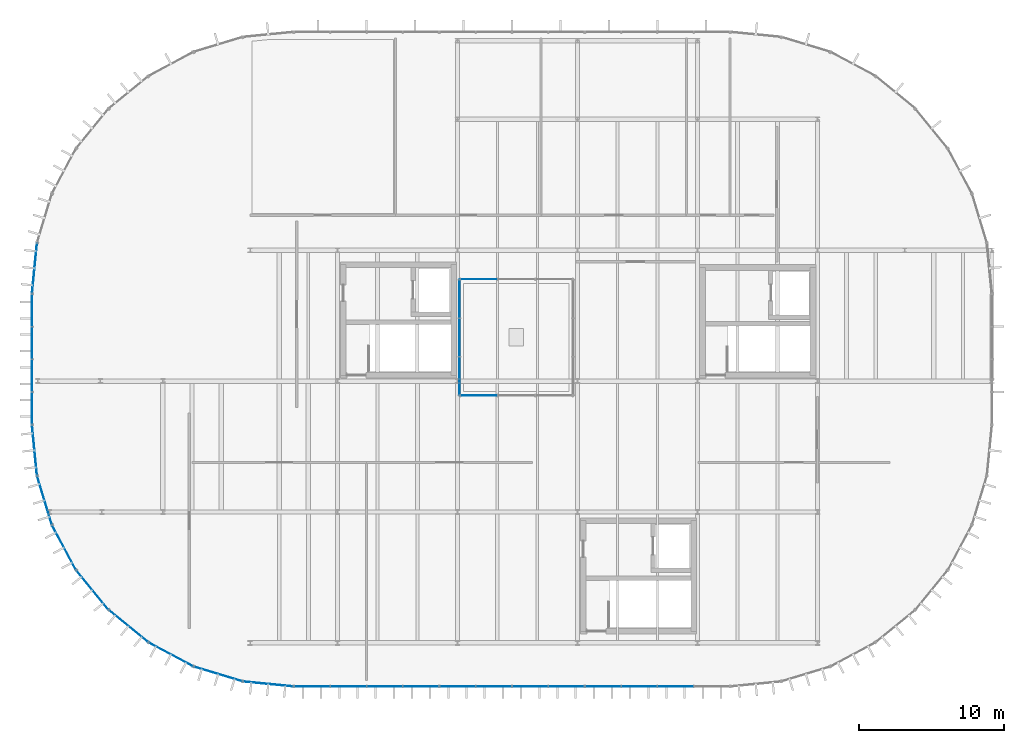
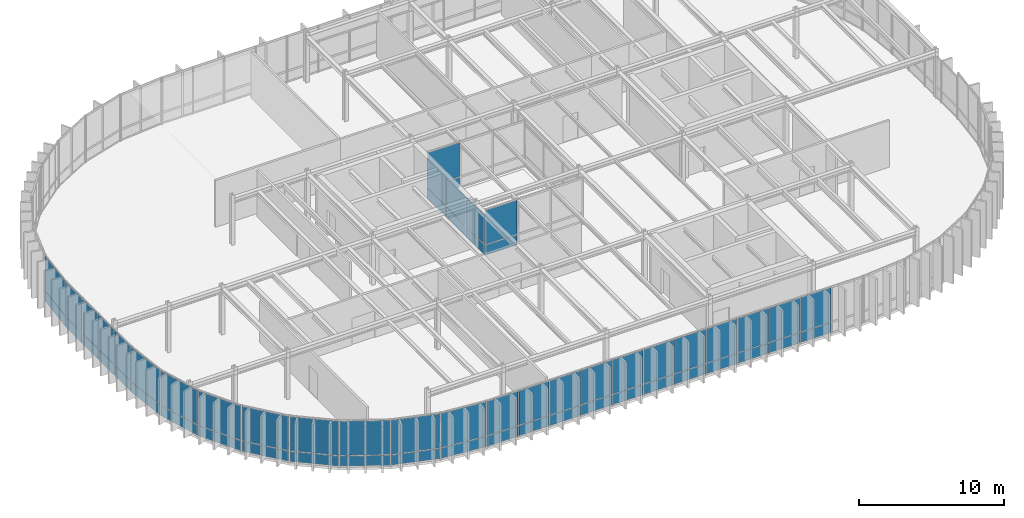
# One storey, part 16 of 21: 58 plates, 16 elements without a shape of their own.
"""IFC4 building model written with IfcOpenShell, lengths in metres."""

from ifc_helpers import new_model, si_unit, direction, frame, origin, origin_2d, place, context, subcontext, project, spatial, rectangle, extrude, material, layer, layer_set, type_object, element, aggregate, save


model = new_model("IFC4")

# Units and contexts
model_context = context("Model", 3, precision=1e-05, world=origin(), true_north=direction((0.0, 1.0)))
body_context = subcontext(model_context, "Body", "Model", "MODEL_VIEW")
ifc_project = project(units=[si_unit("LENGTHUNIT", "METRE"), si_unit("AREAUNIT", "SQUARE_METRE"), si_unit("VOLUMEUNIT", "CUBIC_METRE"), si_unit("PLANEANGLEUNIT", "RADIAN"), si_unit("MASSUNIT", "GRAM", prefix="KILO")], contexts=[model_context])

# Site, building, storey
site_placement = place(None, origin())
site = spatial("IfcSite", under=ifc_project, at=site_placement, CompositionType="ELEMENT")
building_placement = place(site_placement, origin())
building = spatial("IfcBuilding", under=site, at=building_placement, Name="Montealbar Specialist Clinic", CompositionType="ELEMENT")
storey_placement = place(building_placement, frame((0.0, 0.0, 26.39990234375)))
storey = spatial("IfcBuildingStorey", under=building, at=storey_placement, Name="L06", CompositionType="ELEMENT", Elevation=26.39990234375)

# Curtain wall, plates
ifc_material = material(Name="Low-E double glazing", Category="glass")
ifc_layer_1 = layer(ifc_material, 0.199951171875, Name="Low-E double glazing", Category="glass")
ifc_layer_set_1 = layer_set([ifc_layer_1], Name="Low-E double glazing")
curtain_wall_type_1 = type_object("IfcCurtainWallType", Name="CW-TYPE-45", PredefinedType="NOTDEFINED", material=ifc_layer_set_1)
curtain_wall_1_placement = place(storey_placement, origin())
curtain_wall_1 = element("IfcCurtainWall", 1, at=curtain_wall_1_placement, inside=storey, type_object=curtain_wall_type_1, Name="Unitised Curtain Wall CW-L06-744-260-822-260-264", PredefinedType="NOTDEFINED")
ifc_layer_2 = layer(ifc_material, 0.028076171875, Name="Low-E double glazing", Category="glass")
ifc_layer_set_2 = layer_set([ifc_layer_2], Name="Low-E double glazing")
plate_type_1 = type_object("IfcPlateType", Name="CW-PNL-IGU28", PredefinedType="CURTAIN_PANEL", material=ifc_layer_set_2)
plate_1_placement = place(storey_placement, frame((75.699951171875, 26.0, 0.070068359375), z_axis=(0.0, 0.0, 1.0), x_axis=(1.0, 0.0, 0.0)))
plate_1 = element("IfcPlate", 2, at=plate_1_placement, type_object=plate_type_1, Name="Glazed Curtain Panel CW-L06-744-260-822-260-264-1-1", PredefinedType="CURTAIN_PANEL", context=body_context, shape_type="SweptSolid", body=[
    extrude(rectangle(XDim=2.528076171875, YDim=0.028076171875, at=origin_2d()), origin(), (0.0, 0.0, 1.0), 0.85009765625),
])
plate_2_placement = place(storey_placement, frame((75.699951171875, 26.0, 0.980224609375), z_axis=(0.0, 0.0, 1.0), x_axis=(1.0, 0.0, 0.0)))
plate_2 = element("IfcPlate", 3, at=plate_2_placement, type_object=plate_type_1, Name="Glazed Curtain Panel CW-L06-744-260-822-260-264-1-2", PredefinedType="CURTAIN_PANEL", context=body_context, shape_type="SweptSolid", body=[
    extrude(rectangle(XDim=2.528076171875, YDim=0.028076171875, at=origin_2d()), origin(), (0.0, 0.0, 1.0), 2.8798828125),
])
aggregate(curtain_wall_1, [plate_1, plate_2])

curtain_wall_2_placement = place(storey_placement, origin())
curtain_wall_2 = element("IfcCurtainWall", 4, at=curtain_wall_2_placement, inside=storey, type_object=curtain_wall_type_1, Name="Unitised Curtain Wall CW-L06-822-340-744-340-264", PredefinedType="NOTDEFINED")
plate_3_placement = place(storey_placement, frame((75.699951171875, 34.0, 0.070068359375), z_axis=(0.0, 0.0, 1.0), x_axis=(-1.0, 0.0, 0.0)))
plate_3 = element("IfcPlate", 5, at=plate_3_placement, type_object=plate_type_1, Name="Glazed Curtain Panel CW-L06-822-340-744-340-264-3-1", PredefinedType="CURTAIN_PANEL", context=body_context, shape_type="SweptSolid", body=[
    extrude(rectangle(XDim=2.528076171875, YDim=0.028076171875, at=origin_2d()), origin(), (0.0, 0.0, 1.0), 0.85009765625),
])
plate_4_placement = place(storey_placement, frame((75.699951171875, 34.0, 0.980224609375), z_axis=(0.0, 0.0, 1.0), x_axis=(-1.0, 0.0, 0.0)))
plate_4 = element("IfcPlate", 6, at=plate_4_placement, type_object=plate_type_1, Name="Glazed Curtain Panel CW-L06-822-340-744-340-264-3-2", PredefinedType="CURTAIN_PANEL", context=body_context, shape_type="SweptSolid", body=[
    extrude(rectangle(XDim=2.528076171875, YDim=0.028076171875, at=origin_2d()), origin(), (0.0, 0.0, 1.0), 2.8798828125),
])
aggregate(curtain_wall_2, [plate_3, plate_4])

ifc_layer_3 = layer(ifc_material, 0.199951171875, Name="Low-E double glazing", Category="glass")
ifc_layer_set_3 = layer_set([ifc_layer_3], Name="Low-E double glazing")
curtain_wall_type_2 = type_object("IfcCurtainWallType", Name="CW-TYPE-46", PredefinedType="NOTDEFINED", material=ifc_layer_set_3)
curtain_wall_3_placement = place(storey_placement, origin())
curtain_wall_3 = element("IfcCurtainWall", 7, at=curtain_wall_3_placement, inside=storey, type_object=curtain_wall_type_2, Name="Unitised Curtain Wall CW-L06-744-340-744-260-264", PredefinedType="NOTDEFINED")
plate_5_placement = place(storey_placement, frame((74.39990234375, 32.6669921875, 0.070068359375), z_axis=(0.0, 0.0, 1.0), x_axis=(0.0, -1.0, 0.0)))
plate_5 = element("IfcPlate", 8, at=plate_5_placement, type_object=plate_type_1, Name="Glazed Curtain Panel CW-L06-744-340-744-260-264-1-1", PredefinedType="CURTAIN_PANEL", context=body_context, shape_type="SweptSolid", body=[
    extrude(rectangle(XDim=2.594970703125, YDim=0.028076171875, at=origin_2d()), origin(), (0.0, 0.0, 1.0), 0.85009765625),
])
plate_6_placement = place(storey_placement, frame((74.39990234375, 32.6669921875, 0.980224609375), z_axis=(0.0, 0.0, 1.0), x_axis=(0.0, -1.0, 0.0)))
plate_6 = element("IfcPlate", 9, at=plate_6_placement, type_object=plate_type_1, Name="Glazed Curtain Panel CW-L06-744-340-744-260-264-1-2", PredefinedType="CURTAIN_PANEL", context=body_context, shape_type="SweptSolid", body=[
    extrude(rectangle(XDim=2.594970703125, YDim=0.028076171875, at=origin_2d()), origin(), (0.0, 0.0, 1.0), 2.47998046875),
])
plate_7_placement = place(storey_placement, frame((74.39990234375, 30.0, 0.070068359375), z_axis=(0.0, 0.0, 1.0), x_axis=(0.0, -1.0, 0.0)))
plate_7 = element("IfcPlate", 10, at=plate_7_placement, type_object=plate_type_1, Name="Glazed Curtain Panel CW-L06-744-340-744-260-264-2-1", PredefinedType="CURTAIN_PANEL", context=body_context, shape_type="SweptSolid", body=[
    extrude(rectangle(XDim=2.594970703125, YDim=0.028076171875, at=origin_2d()), origin(), (0.0, 0.0, 1.0), 0.85009765625),
])
plate_8_placement = place(storey_placement, frame((74.39990234375, 30.0, 0.980224609375), z_axis=(0.0, 0.0, 1.0), x_axis=(0.0, -1.0, 0.0)))
plate_8 = element("IfcPlate", 11, at=plate_8_placement, type_object=plate_type_1, Name="Glazed Curtain Panel CW-L06-744-340-744-260-264-2-2", PredefinedType="CURTAIN_PANEL", context=body_context, shape_type="SweptSolid", body=[
    extrude(rectangle(XDim=2.594970703125, YDim=0.028076171875, at=origin_2d()), origin(), (0.0, 0.0, 1.0), 2.47998046875),
])
plate_9_placement = place(storey_placement, frame((74.39990234375, 27.3330078125, 0.070068359375), z_axis=(0.0, 0.0, 1.0), x_axis=(0.0, -1.0, 0.0)))
plate_9 = element("IfcPlate", 12, at=plate_9_placement, type_object=plate_type_1, Name="Glazed Curtain Panel CW-L06-744-340-744-260-264-3-1", PredefinedType="CURTAIN_PANEL", context=body_context, shape_type="SweptSolid", body=[
    extrude(rectangle(XDim=2.594970703125, YDim=0.028076171875, at=origin_2d()), origin(), (0.0, 0.0, 1.0), 0.85009765625),
])
plate_10_placement = place(storey_placement, frame((74.39990234375, 27.3330078125, 0.980224609375), z_axis=(0.0, 0.0, 1.0), x_axis=(0.0, -1.0, 0.0)))
plate_10 = element("IfcPlate", 13, at=plate_10_placement, type_object=plate_type_1, Name="Glazed Curtain Panel CW-L06-744-340-744-260-264-3-2", PredefinedType="CURTAIN_PANEL", context=body_context, shape_type="SweptSolid", body=[
    extrude(rectangle(XDim=2.594970703125, YDim=0.028076171875, at=origin_2d()), origin(), (0.0, 0.0, 1.0), 2.47998046875),
])
aggregate(curtain_wall_3, [plate_5, plate_6, plate_7, plate_8, plate_9, plate_10])

ifc_layer_4 = layer(ifc_material, 0.199951171875, Name="Low-E double glazing", Category="glass")
ifc_layer_set_4 = layer_set([ifc_layer_4], Name="Low-E double glazing")
curtain_wall_type_3 = type_object("IfcCurtainWallType", Name="CW-TYPE-42", PredefinedType="NOTDEFINED", material=ifc_layer_set_4)
curtain_wall_4_placement = place(storey_placement, origin())
curtain_wall_4 = element("IfcCurtainWall", 14, at=curtain_wall_4_placement, inside=storey, type_object=curtain_wall_type_3, Name="Unitised Curtain Wall CW-L06-450-240-450-330-264", PredefinedType="NOTDEFINED")
ifc_layer_5 = layer(ifc_material, 0.0380859375, Name="Low-E double glazing", Category="glass")
ifc_layer_set_5 = layer_set([ifc_layer_5], Name="Low-E double glazing")
plate_type_2 = type_object("IfcPlateType", Name="CW-PNL-IGU38", PredefinedType="CURTAIN_PANEL", material=ifc_layer_set_5)
plate_11_placement = place(storey_placement, frame((45.0, 25.125, 0.070068359375), z_axis=(0.0, 0.0, 1.0), x_axis=(0.0, 1.0, 0.0)))
plate_11 = element("IfcPlate", 15, at=plate_11_placement, type_object=plate_type_2, Name="Glazed Curtain Panel CW-L06-450-240-450-330-264-1-1", PredefinedType="CURTAIN_PANEL", context=body_context, shape_type="SweptSolid", body=[
    extrude(rectangle(XDim=2.166015625, YDim=0.0380859375, at=origin_2d()), origin(), (0.0, 0.0, 1.0), 0.85009765625),
])
plate_12_placement = place(storey_placement, frame((45.0, 25.125, 0.980224609375), z_axis=(0.0, 0.0, 1.0), x_axis=(0.0, 1.0, 0.0)))
plate_12 = element("IfcPlate", 16, at=plate_12_placement, type_object=plate_type_2, Name="Glazed Curtain Panel CW-L06-450-240-450-330-264-1-2", PredefinedType="CURTAIN_PANEL", context=body_context, shape_type="SweptSolid", body=[
    extrude(rectangle(XDim=2.166015625, YDim=0.0380859375, at=origin_2d()), origin(), (0.0, 0.0, 1.0), 2.8798828125),
])
plate_13_placement = place(storey_placement, frame((45.0, 27.375, 0.070068359375), z_axis=(0.0, 0.0, 1.0), x_axis=(0.0, 1.0, 0.0)))
plate_13 = element("IfcPlate", 17, at=plate_13_placement, type_object=plate_type_2, Name="Glazed Curtain Panel CW-L06-450-240-450-330-264-2-1", PredefinedType="CURTAIN_PANEL", context=body_context, shape_type="SweptSolid", body=[
    extrude(rectangle(XDim=2.166015625, YDim=0.0380859375, at=origin_2d()), origin(), (0.0, 0.0, 1.0), 0.85009765625),
])
plate_14_placement = place(storey_placement, frame((45.0, 27.375, 0.980224609375), z_axis=(0.0, 0.0, 1.0), x_axis=(0.0, 1.0, 0.0)))
plate_14 = element("IfcPlate", 18, at=plate_14_placement, type_object=plate_type_2, Name="Glazed Curtain Panel CW-L06-450-240-450-330-264-2-2", PredefinedType="CURTAIN_PANEL", context=body_context, shape_type="SweptSolid", body=[
    extrude(rectangle(XDim=2.166015625, YDim=0.0380859375, at=origin_2d()), origin(), (0.0, 0.0, 1.0), 2.8798828125),
])
plate_15_placement = place(storey_placement, frame((45.0, 29.625, 0.070068359375), z_axis=(0.0, 0.0, 1.0), x_axis=(0.0, 1.0, 0.0)))
plate_15 = element("IfcPlate", 19, at=plate_15_placement, type_object=plate_type_2, Name="Glazed Curtain Panel CW-L06-450-240-450-330-264-3-1", PredefinedType="CURTAIN_PANEL", context=body_context, shape_type="SweptSolid", body=[
    extrude(rectangle(XDim=2.166015625, YDim=0.0380859375, at=origin_2d()), origin(), (0.0, 0.0, 1.0), 0.85009765625),
])
plate_16_placement = place(storey_placement, frame((45.0, 29.625, 0.980224609375), z_axis=(0.0, 0.0, 1.0), x_axis=(0.0, 1.0, 0.0)))
plate_16 = element("IfcPlate", 20, at=plate_16_placement, type_object=plate_type_2, Name="Glazed Curtain Panel CW-L06-450-240-450-330-264-3-2", PredefinedType="CURTAIN_PANEL", context=body_context, shape_type="SweptSolid", body=[
    extrude(rectangle(XDim=2.166015625, YDim=0.0380859375, at=origin_2d()), origin(), (0.0, 0.0, 1.0), 2.8798828125),
])
plate_17_placement = place(storey_placement, frame((45.0, 31.875, 0.070068359375), z_axis=(0.0, 0.0, 1.0), x_axis=(0.0, 1.0, 0.0)))
plate_17 = element("IfcPlate", 21, at=plate_17_placement, type_object=plate_type_2, Name="Glazed Curtain Panel CW-L06-450-240-450-330-264-4-1", PredefinedType="CURTAIN_PANEL", context=body_context, shape_type="SweptSolid", body=[
    extrude(rectangle(XDim=2.166015625, YDim=0.0380859375, at=origin_2d()), origin(), (0.0, 0.0, 1.0), 0.85009765625),
])
plate_18_placement = place(storey_placement, frame((45.0, 31.875, 0.980224609375), z_axis=(0.0, 0.0, 1.0), x_axis=(0.0, 1.0, 0.0)))
plate_18 = element("IfcPlate", 22, at=plate_18_placement, type_object=plate_type_2, Name="Glazed Curtain Panel CW-L06-450-240-450-330-264-4-2", PredefinedType="CURTAIN_PANEL", context=body_context, shape_type="SweptSolid", body=[
    extrude(rectangle(XDim=2.166015625, YDim=0.0380859375, at=origin_2d()), origin(), (0.0, 0.0, 1.0), 2.8798828125),
])
aggregate(curtain_wall_4, [plate_11, plate_12, plate_13, plate_14, plate_15, plate_16, plate_17, plate_18])

ifc_layer_6 = layer(ifc_material, 0.199951171875, Name="Low-E double glazing", Category="glass")
ifc_layer_set_6 = layer_set([ifc_layer_6], Name="Low-E double glazing")
curtain_wall_type_4 = type_object("IfcCurtainWallType", Name="CW-TYPE-12", PredefinedType="NOTDEFINED", material=ifc_layer_set_6)
curtain_wall_5_placement = place(storey_placement, origin())
curtain_wall_5 = element("IfcCurtainWall", 23, at=curtain_wall_5_placement, inside=storey, type_object=curtain_wall_type_4, Name="Unitised Curtain Wall CW-L06-450-330-453-365-264", PredefinedType="NOTDEFINED")
plate_19_placement = place(storey_placement, frame((45.173095703125, 34.756103515625, 0.070068359375), z_axis=(0.0, 0.0, 1.0), x_axis=(0.098044697094, 0.995182012183, 0.0)))
plate_19 = element("IfcPlate", 24, at=plate_19_placement, type_object=plate_type_2, Name="Glazed Curtain Panel CW-L06-450-330-453-365-264-1-1", PredefinedType="CURTAIN_PANEL", context=body_context, shape_type="SweptSolid", body=[
    extrude(rectangle(XDim=3.445068359375, YDim=0.0380859375, at=origin_2d()), origin(), (0.0, 0.0, 1.0), 0.85009765625),
])
plate_20_placement = place(storey_placement, frame((45.173095703125, 34.756103515625, 0.980224609375), z_axis=(0.0, 0.0, 1.0), x_axis=(0.098044697094, 0.995182012183, 0.0)))
plate_20 = element("IfcPlate", 25, at=plate_20_placement, type_object=plate_type_2, Name="Glazed Curtain Panel CW-L06-450-330-453-365-264-1-2", PredefinedType="CURTAIN_PANEL", context=body_context, shape_type="SweptSolid", body=[
    extrude(rectangle(XDim=3.445068359375, YDim=0.0380859375, at=origin_2d()), origin(), (0.0, 0.0, 1.0), 2.8798828125),
])
aggregate(curtain_wall_5, [plate_19, plate_20])

ifc_layer_7 = layer(ifc_material, 0.199951171875, Name="Low-E double glazing", Category="glass")
ifc_layer_set_7 = layer_set([ifc_layer_7], Name="Low-E double glazing")
curtain_wall_type_5 = type_object("IfcCurtainWallType", Name="CW-TYPE-43", PredefinedType="NOTDEFINED", material=ifc_layer_set_7)
curtain_wall_6_placement = place(storey_placement, origin())
curtain_wall_6 = element("IfcCurtainWall", 26, at=curtain_wall_6_placement, inside=storey, type_object=curtain_wall_type_5, Name="Unitised Curtain Wall CW-L06-930-60-830-60-264", PredefinedType="NOTDEFINED")
plate_21_placement = place(storey_placement, frame((89.25, 6.0, 0.070068359375), z_axis=(0.0, 0.0, 1.0), x_axis=(-1.0, 0.0, 0.0)))
plate_21 = element("IfcPlate", 27, at=plate_21_placement, type_object=plate_type_2, Name="Glazed Curtain Panel CW-L06-930-60-830-60-264-2-1", PredefinedType="CURTAIN_PANEL", context=body_context, shape_type="SweptSolid", body=[
    extrude(rectangle(XDim=2.416015625, YDim=0.0380859375, at=origin_2d()), origin(), (0.0, 0.0, 1.0), 0.85009765625),
])
plate_22_placement = place(storey_placement, frame((89.25, 6.0, 0.980224609375), z_axis=(0.0, 0.0, 1.0), x_axis=(-1.0, 0.0, 0.0)))
plate_22 = element("IfcPlate", 28, at=plate_22_placement, type_object=plate_type_2, Name="Glazed Curtain Panel CW-L06-930-60-830-60-264-2-2", PredefinedType="CURTAIN_PANEL", context=body_context, shape_type="SweptSolid", body=[
    extrude(rectangle(XDim=2.416015625, YDim=0.0380859375, at=origin_2d()), origin(), (0.0, 0.0, 1.0), 2.8798828125),
])
plate_23_placement = place(storey_placement, frame((86.75, 6.0, 0.070068359375), z_axis=(0.0, 0.0, 1.0), x_axis=(-1.0, 0.0, 0.0)))
plate_23 = element("IfcPlate", 29, at=plate_23_placement, type_object=plate_type_2, Name="Glazed Curtain Panel CW-L06-930-60-830-60-264-3-1", PredefinedType="CURTAIN_PANEL", context=body_context, shape_type="SweptSolid", body=[
    extrude(rectangle(XDim=2.416015625, YDim=0.0380859375, at=origin_2d()), origin(), (0.0, 0.0, 1.0), 0.85009765625),
])
plate_24_placement = place(storey_placement, frame((86.75, 6.0, 0.980224609375), z_axis=(0.0, 0.0, 1.0), x_axis=(-1.0, 0.0, 0.0)))
plate_24 = element("IfcPlate", 30, at=plate_24_placement, type_object=plate_type_2, Name="Glazed Curtain Panel CW-L06-930-60-830-60-264-3-2", PredefinedType="CURTAIN_PANEL", context=body_context, shape_type="SweptSolid", body=[
    extrude(rectangle(XDim=2.416015625, YDim=0.0380859375, at=origin_2d()), origin(), (0.0, 0.0, 1.0), 2.8798828125),
])
plate_25_placement = place(storey_placement, frame((84.25, 6.0, 0.070068359375), z_axis=(0.0, 0.0, 1.0), x_axis=(-1.0, 0.0, 0.0)))
plate_25 = element("IfcPlate", 31, at=plate_25_placement, type_object=plate_type_2, Name="Glazed Curtain Panel CW-L06-930-60-830-60-264-4-1", PredefinedType="CURTAIN_PANEL", context=body_context, shape_type="SweptSolid", body=[
    extrude(rectangle(XDim=2.416015625, YDim=0.0380859375, at=origin_2d()), origin(), (0.0, 0.0, 1.0), 0.85009765625),
])
plate_26_placement = place(storey_placement, frame((84.25, 6.0, 0.980224609375), z_axis=(0.0, 0.0, 1.0), x_axis=(-1.0, 0.0, 0.0)))
plate_26 = element("IfcPlate", 32, at=plate_26_placement, type_object=plate_type_2, Name="Glazed Curtain Panel CW-L06-930-60-830-60-264-4-2", PredefinedType="CURTAIN_PANEL", context=body_context, shape_type="SweptSolid", body=[
    extrude(rectangle(XDim=2.416015625, YDim=0.0380859375, at=origin_2d()), origin(), (0.0, 0.0, 1.0), 2.8798828125),
])
aggregate(curtain_wall_6, [plate_21, plate_22, plate_23, plate_24, plate_25, plate_26])

curtain_wall_7_placement = place(storey_placement, origin())
curtain_wall_7 = element("IfcCurtainWall", 33, at=curtain_wall_7_placement, inside=storey, type_object=curtain_wall_type_5, Name="Unitised Curtain Wall CW-L06-830-60-730-60-264", PredefinedType="NOTDEFINED")
plate_27_placement = place(storey_placement, frame((81.75, 6.0, 0.070068359375), z_axis=(0.0, 0.0, 1.0), x_axis=(-1.0, 0.0, 0.0)))
plate_27 = element("IfcPlate", 34, at=plate_27_placement, type_object=plate_type_2, Name="Glazed Curtain Panel CW-L06-830-60-730-60-264-1-1", PredefinedType="CURTAIN_PANEL", context=body_context, shape_type="SweptSolid", body=[
    extrude(rectangle(XDim=2.416015625, YDim=0.0380859375, at=origin_2d()), origin(), (0.0, 0.0, 1.0), 0.85009765625),
])
plate_28_placement = place(storey_placement, frame((81.75, 6.0, 0.980224609375), z_axis=(0.0, 0.0, 1.0), x_axis=(-1.0, 0.0, 0.0)))
plate_28 = element("IfcPlate", 35, at=plate_28_placement, type_object=plate_type_2, Name="Glazed Curtain Panel CW-L06-830-60-730-60-264-1-2", PredefinedType="CURTAIN_PANEL", context=body_context, shape_type="SweptSolid", body=[
    extrude(rectangle(XDim=2.416015625, YDim=0.0380859375, at=origin_2d()), origin(), (0.0, 0.0, 1.0), 2.8798828125),
])
plate_29_placement = place(storey_placement, frame((79.25, 6.0, 0.070068359375), z_axis=(0.0, 0.0, 1.0), x_axis=(-1.0, 0.0, 0.0)))
plate_29 = element("IfcPlate", 36, at=plate_29_placement, type_object=plate_type_2, Name="Glazed Curtain Panel CW-L06-830-60-730-60-264-2-1", PredefinedType="CURTAIN_PANEL", context=body_context, shape_type="SweptSolid", body=[
    extrude(rectangle(XDim=2.416015625, YDim=0.0380859375, at=origin_2d()), origin(), (0.0, 0.0, 1.0), 0.85009765625),
])
plate_30_placement = place(storey_placement, frame((79.25, 6.0, 0.980224609375), z_axis=(0.0, 0.0, 1.0), x_axis=(-1.0, 0.0, 0.0)))
plate_30 = element("IfcPlate", 37, at=plate_30_placement, type_object=plate_type_2, Name="Glazed Curtain Panel CW-L06-830-60-730-60-264-2-2", PredefinedType="CURTAIN_PANEL", context=body_context, shape_type="SweptSolid", body=[
    extrude(rectangle(XDim=2.416015625, YDim=0.0380859375, at=origin_2d()), origin(), (0.0, 0.0, 1.0), 2.8798828125),
])
plate_31_placement = place(storey_placement, frame((76.75, 6.0, 0.070068359375), z_axis=(0.0, 0.0, 1.0), x_axis=(-1.0, 0.0, 0.0)))
plate_31 = element("IfcPlate", 38, at=plate_31_placement, type_object=plate_type_2, Name="Glazed Curtain Panel CW-L06-830-60-730-60-264-3-1", PredefinedType="CURTAIN_PANEL", context=body_context, shape_type="SweptSolid", body=[
    extrude(rectangle(XDim=2.416015625, YDim=0.0380859375, at=origin_2d()), origin(), (0.0, 0.0, 1.0), 0.85009765625),
])
plate_32_placement = place(storey_placement, frame((76.75, 6.0, 0.980224609375), z_axis=(0.0, 0.0, 1.0), x_axis=(-1.0, 0.0, 0.0)))
plate_32 = element("IfcPlate", 39, at=plate_32_placement, type_object=plate_type_2, Name="Glazed Curtain Panel CW-L06-830-60-730-60-264-3-2", PredefinedType="CURTAIN_PANEL", context=body_context, shape_type="SweptSolid", body=[
    extrude(rectangle(XDim=2.416015625, YDim=0.0380859375, at=origin_2d()), origin(), (0.0, 0.0, 1.0), 2.8798828125),
])
plate_33_placement = place(storey_placement, frame((74.25, 6.0, 0.070068359375), z_axis=(0.0, 0.0, 1.0), x_axis=(-1.0, 0.0, 0.0)))
plate_33 = element("IfcPlate", 40, at=plate_33_placement, type_object=plate_type_2, Name="Glazed Curtain Panel CW-L06-830-60-730-60-264-4-1", PredefinedType="CURTAIN_PANEL", context=body_context, shape_type="SweptSolid", body=[
    extrude(rectangle(XDim=2.416015625, YDim=0.0380859375, at=origin_2d()), origin(), (0.0, 0.0, 1.0), 0.85009765625),
])
plate_34_placement = place(storey_placement, frame((74.25, 6.0, 0.980224609375), z_axis=(0.0, 0.0, 1.0), x_axis=(-1.0, 0.0, 0.0)))
plate_34 = element("IfcPlate", 41, at=plate_34_placement, type_object=plate_type_2, Name="Glazed Curtain Panel CW-L06-830-60-730-60-264-4-2", PredefinedType="CURTAIN_PANEL", context=body_context, shape_type="SweptSolid", body=[
    extrude(rectangle(XDim=2.416015625, YDim=0.0380859375, at=origin_2d()), origin(), (0.0, 0.0, 1.0), 2.8798828125),
])
aggregate(curtain_wall_7, [plate_27, plate_28, plate_29, plate_30, plate_31, plate_32, plate_33, plate_34])

curtain_wall_8_placement = place(storey_placement, origin())
curtain_wall_8 = element("IfcCurtainWall", 42, at=curtain_wall_8_placement, inside=storey, type_object=curtain_wall_type_5, Name="Unitised Curtain Wall CW-L06-730-60-630-60-264", PredefinedType="NOTDEFINED")
plate_35_placement = place(storey_placement, frame((71.75, 6.0, 0.070068359375), z_axis=(0.0, 0.0, 1.0), x_axis=(-1.0, 0.0, 0.0)))
plate_35 = element("IfcPlate", 43, at=plate_35_placement, type_object=plate_type_2, Name="Glazed Curtain Panel CW-L06-730-60-630-60-264-1-1", PredefinedType="CURTAIN_PANEL", context=body_context, shape_type="SweptSolid", body=[
    extrude(rectangle(XDim=2.416015625, YDim=0.0380859375, at=origin_2d()), origin(), (0.0, 0.0, 1.0), 0.85009765625),
])
plate_36_placement = place(storey_placement, frame((71.75, 6.0, 0.980224609375), z_axis=(0.0, 0.0, 1.0), x_axis=(-1.0, 0.0, 0.0)))
plate_36 = element("IfcPlate", 44, at=plate_36_placement, type_object=plate_type_2, Name="Glazed Curtain Panel CW-L06-730-60-630-60-264-1-2", PredefinedType="CURTAIN_PANEL", context=body_context, shape_type="SweptSolid", body=[
    extrude(rectangle(XDim=2.416015625, YDim=0.0380859375, at=origin_2d()), origin(), (0.0, 0.0, 1.0), 2.8798828125),
])
plate_37_placement = place(storey_placement, frame((69.25, 6.0, 0.070068359375), z_axis=(0.0, 0.0, 1.0), x_axis=(-1.0, 0.0, 0.0)))
plate_37 = element("IfcPlate", 45, at=plate_37_placement, type_object=plate_type_2, Name="Glazed Curtain Panel CW-L06-730-60-630-60-264-2-1", PredefinedType="CURTAIN_PANEL", context=body_context, shape_type="SweptSolid", body=[
    extrude(rectangle(XDim=2.416015625, YDim=0.0380859375, at=origin_2d()), origin(), (0.0, 0.0, 1.0), 0.85009765625),
])
plate_38_placement = place(storey_placement, frame((69.25, 6.0, 0.980224609375), z_axis=(0.0, 0.0, 1.0), x_axis=(-1.0, 0.0, 0.0)))
plate_38 = element("IfcPlate", 46, at=plate_38_placement, type_object=plate_type_2, Name="Glazed Curtain Panel CW-L06-730-60-630-60-264-2-2", PredefinedType="CURTAIN_PANEL", context=body_context, shape_type="SweptSolid", body=[
    extrude(rectangle(XDim=2.416015625, YDim=0.0380859375, at=origin_2d()), origin(), (0.0, 0.0, 1.0), 2.8798828125),
])
plate_39_placement = place(storey_placement, frame((66.75, 6.0, 0.070068359375), z_axis=(0.0, 0.0, 1.0), x_axis=(-1.0, 0.0, 0.0)))
plate_39 = element("IfcPlate", 47, at=plate_39_placement, type_object=plate_type_2, Name="Glazed Curtain Panel CW-L06-730-60-630-60-264-3-1", PredefinedType="CURTAIN_PANEL", context=body_context, shape_type="SweptSolid", body=[
    extrude(rectangle(XDim=2.416015625, YDim=0.0380859375, at=origin_2d()), origin(), (0.0, 0.0, 1.0), 0.85009765625),
])
plate_40_placement = place(storey_placement, frame((66.75, 6.0, 0.980224609375), z_axis=(0.0, 0.0, 1.0), x_axis=(-1.0, 0.0, 0.0)))
plate_40 = element("IfcPlate", 48, at=plate_40_placement, type_object=plate_type_2, Name="Glazed Curtain Panel CW-L06-730-60-630-60-264-3-2", PredefinedType="CURTAIN_PANEL", context=body_context, shape_type="SweptSolid", body=[
    extrude(rectangle(XDim=2.416015625, YDim=0.0380859375, at=origin_2d()), origin(), (0.0, 0.0, 1.0), 2.8798828125),
])
plate_41_placement = place(storey_placement, frame((64.25, 6.0, 0.070068359375), z_axis=(0.0, 0.0, 1.0), x_axis=(-1.0, 0.0, 0.0)))
plate_41 = element("IfcPlate", 49, at=plate_41_placement, type_object=plate_type_2, Name="Glazed Curtain Panel CW-L06-730-60-630-60-264-4-1", PredefinedType="CURTAIN_PANEL", context=body_context, shape_type="SweptSolid", body=[
    extrude(rectangle(XDim=2.416015625, YDim=0.0380859375, at=origin_2d()), origin(), (0.0, 0.0, 1.0), 0.85009765625),
])
plate_42_placement = place(storey_placement, frame((64.25, 6.0, 0.980224609375), z_axis=(0.0, 0.0, 1.0), x_axis=(-1.0, 0.0, 0.0)))
plate_42 = element("IfcPlate", 50, at=plate_42_placement, type_object=plate_type_2, Name="Glazed Curtain Panel CW-L06-730-60-630-60-264-4-2", PredefinedType="CURTAIN_PANEL", context=body_context, shape_type="SweptSolid", body=[
    extrude(rectangle(XDim=2.416015625, YDim=0.0380859375, at=origin_2d()), origin(), (0.0, 0.0, 1.0), 2.8798828125),
])
aggregate(curtain_wall_8, [plate_35, plate_36, plate_37, plate_38, plate_39, plate_40, plate_41, plate_42])

curtain_wall_9_placement = place(storey_placement, origin())
curtain_wall_9 = element("IfcCurtainWall", 51, at=curtain_wall_9_placement, inside=storey, type_object=curtain_wall_type_4, Name="Unitised Curtain Wall CW-L06-630-60-595-63-264", PredefinedType="NOTDEFINED")
plate_43_placement = place(storey_placement, frame((61.243896484375, 6.173095703125, 0.070068359375), z_axis=(0.0, 0.0, 1.0), x_axis=(-0.995182012183, 0.098044697094, 0.0)))
plate_43 = element("IfcPlate", 52, at=plate_43_placement, type_object=plate_type_2, Name="Glazed Curtain Panel CW-L06-630-60-595-63-264-1-1", PredefinedType="CURTAIN_PANEL", context=body_context, shape_type="SweptSolid", body=[
    extrude(rectangle(XDim=3.445068359375, YDim=0.0380859375, at=origin_2d()), origin(), (0.0, 0.0, 1.0), 0.85009765625),
])
plate_44_placement = place(storey_placement, frame((61.243896484375, 6.173095703125, 0.980224609375), z_axis=(0.0, 0.0, 1.0), x_axis=(-0.995182012183, 0.098044697094, 0.0)))
plate_44 = element("IfcPlate", 53, at=plate_44_placement, type_object=plate_type_2, Name="Glazed Curtain Panel CW-L06-630-60-595-63-264-1-2", PredefinedType="CURTAIN_PANEL", context=body_context, shape_type="SweptSolid", body=[
    extrude(rectangle(XDim=3.445068359375, YDim=0.0380859375, at=origin_2d()), origin(), (0.0, 0.0, 1.0), 2.8798828125),
])
aggregate(curtain_wall_9, [plate_43, plate_44])

curtain_wall_10_placement = place(storey_placement, origin())
curtain_wall_10 = element("IfcCurtainWall", 54, at=curtain_wall_10_placement, inside=storey, type_object=curtain_wall_type_4, Name="Unitised Curtain Wall CW-L06-595-63-561-74-264", PredefinedType="NOTDEFINED")
plate_45_placement = place(storey_placement, frame((57.800048828125, 6.85791015625, 0.070068359375), z_axis=(0.0, 0.0, 1.0), x_axis=(-0.956948083701, 0.290259134399, 0.0)))
plate_45 = element("IfcPlate", 55, at=plate_45_placement, type_object=plate_type_2, Name="Glazed Curtain Panel CW-L06-595-63-561-74-264-1-1", PredefinedType="CURTAIN_PANEL", context=body_context, shape_type="SweptSolid", body=[
    extrude(rectangle(XDim=3.444091796875, YDim=0.0380859375, at=origin_2d()), origin(), (0.0, 0.0, 1.0), 0.85009765625),
])
plate_46_placement = place(storey_placement, frame((57.800048828125, 6.85791015625, 0.980224609375), z_axis=(0.0, 0.0, 1.0), x_axis=(-0.956948083701, 0.290259134399, 0.0)))
plate_46 = element("IfcPlate", 56, at=plate_46_placement, type_object=plate_type_2, Name="Glazed Curtain Panel CW-L06-595-63-561-74-264-1-2", PredefinedType="CURTAIN_PANEL", context=body_context, shape_type="SweptSolid", body=[
    extrude(rectangle(XDim=3.444091796875, YDim=0.0380859375, at=origin_2d()), origin(), (0.0, 0.0, 1.0), 2.8798828125),
])
aggregate(curtain_wall_10, [plate_45, plate_46])

curtain_wall_11_placement = place(storey_placement, origin())
curtain_wall_11 = element("IfcCurtainWall", 57, at=curtain_wall_11_placement, inside=storey, type_object=curtain_wall_type_4, Name="Unitised Curtain Wall CW-L06-561-74-530-90-264", PredefinedType="NOTDEFINED")
plate_47_placement = place(storey_placement, frame((54.555908203125, 8.201904296875, 0.070068359375), z_axis=(0.0, 0.0, 1.0), x_axis=(-0.881850411644, 0.471529268958, 0.0)))
plate_47 = element("IfcPlate", 58, at=plate_47_placement, type_object=plate_type_2, Name="Glazed Curtain Panel CW-L06-561-74-530-90-264-1-1", PredefinedType="CURTAIN_PANEL", context=body_context, shape_type="SweptSolid", body=[
    extrude(rectangle(XDim=3.445068359375, YDim=0.0380859375, at=origin_2d()), origin(), (0.0, 0.0, 1.0), 0.85009765625),
])
plate_48_placement = place(storey_placement, frame((54.555908203125, 8.201904296875, 0.980224609375), z_axis=(0.0, 0.0, 1.0), x_axis=(-0.881850411644, 0.471529268958, 0.0)))
plate_48 = element("IfcPlate", 59, at=plate_48_placement, type_object=plate_type_2, Name="Glazed Curtain Panel CW-L06-561-74-530-90-264-1-2", PredefinedType="CURTAIN_PANEL", context=body_context, shape_type="SweptSolid", body=[
    extrude(rectangle(XDim=3.445068359375, YDim=0.0380859375, at=origin_2d()), origin(), (0.0, 0.0, 1.0), 2.8798828125),
])
aggregate(curtain_wall_11, [plate_47, plate_48])

curtain_wall_12_placement = place(storey_placement, origin())
curtain_wall_12 = element("IfcCurtainWall", 60, at=curtain_wall_12_placement, inside=storey, type_object=curtain_wall_type_4, Name="Unitised Curtain Wall CW-L06-530-90-503-113-264", PredefinedType="NOTDEFINED")
plate_49_placement = place(storey_placement, frame((51.635986328125, 10.153076171875, 0.070068359375), z_axis=(0.0, 0.0, 1.0), x_axis=(-0.773123255923, 0.634255808922, 0.0)))
plate_49 = element("IfcPlate", 61, at=plate_49_placement, type_object=plate_type_2, Name="Glazed Curtain Panel CW-L06-530-90-503-113-264-1-1", PredefinedType="CURTAIN_PANEL", context=body_context, shape_type="SweptSolid", body=[
    extrude(rectangle(XDim=3.445068359375, YDim=0.0380859375, at=origin_2d()), origin(), (0.0, 0.0, 1.0), 0.85009765625),
])
plate_50_placement = place(storey_placement, frame((51.635986328125, 10.153076171875, 0.980224609375), z_axis=(0.0, 0.0, 1.0), x_axis=(-0.773123255923, 0.634255808922, 0.0)))
plate_50 = element("IfcPlate", 62, at=plate_50_placement, type_object=plate_type_2, Name="Glazed Curtain Panel CW-L06-530-90-503-113-264-1-2", PredefinedType="CURTAIN_PANEL", context=body_context, shape_type="SweptSolid", body=[
    extrude(rectangle(XDim=3.445068359375, YDim=0.0380859375, at=origin_2d()), origin(), (0.0, 0.0, 1.0), 2.8798828125),
])
aggregate(curtain_wall_12, [plate_49, plate_50])

curtain_wall_13_placement = place(storey_placement, origin())
curtain_wall_13 = element("IfcCurtainWall", 63, at=curtain_wall_13_placement, inside=storey, type_object=curtain_wall_type_4, Name="Unitised Curtain Wall CW-L06-503-113-480-140-264", PredefinedType="NOTDEFINED")
plate_51_placement = place(storey_placement, frame((49.153076171875, 12.635986328125, 0.070068359375), z_axis=(0.0, 0.0, 1.0), x_axis=(-0.634255808922, 0.773123255923, 0.0)))
plate_51 = element("IfcPlate", 64, at=plate_51_placement, type_object=plate_type_2, Name="Glazed Curtain Panel CW-L06-503-113-480-140-264-1-1", PredefinedType="CURTAIN_PANEL", context=body_context, shape_type="SweptSolid", body=[
    extrude(rectangle(XDim=3.445068359375, YDim=0.0380859375, at=origin_2d()), origin(), (0.0, 0.0, 1.0), 0.85009765625),
])
plate_52_placement = place(storey_placement, frame((49.153076171875, 12.635986328125, 0.980224609375), z_axis=(0.0, 0.0, 1.0), x_axis=(-0.634255808922, 0.773123255923, 0.0)))
plate_52 = element("IfcPlate", 65, at=plate_52_placement, type_object=plate_type_2, Name="Glazed Curtain Panel CW-L06-503-113-480-140-264-1-2", PredefinedType="CURTAIN_PANEL", context=body_context, shape_type="SweptSolid", body=[
    extrude(rectangle(XDim=3.445068359375, YDim=0.0380859375, at=origin_2d()), origin(), (0.0, 0.0, 1.0), 2.8798828125),
])
aggregate(curtain_wall_13, [plate_51, plate_52])

curtain_wall_14_placement = place(storey_placement, origin())
curtain_wall_14 = element("IfcCurtainWall", 66, at=curtain_wall_14_placement, inside=storey, type_object=curtain_wall_type_4, Name="Unitised Curtain Wall CW-L06-480-140-464-171-264", PredefinedType="NOTDEFINED")
plate_53_placement = place(storey_placement, frame((47.201904296875, 15.555908203125, 0.070068359375), z_axis=(0.0, 0.0, 1.0), x_axis=(-0.471529268958, 0.881850411644, 0.0)))
plate_53 = element("IfcPlate", 67, at=plate_53_placement, type_object=plate_type_2, Name="Glazed Curtain Panel CW-L06-480-140-464-171-264-1-1", PredefinedType="CURTAIN_PANEL", context=body_context, shape_type="SweptSolid", body=[
    extrude(rectangle(XDim=3.445068359375, YDim=0.0380859375, at=origin_2d()), origin(), (0.0, 0.0, 1.0), 0.85009765625),
])
plate_54_placement = place(storey_placement, frame((47.201904296875, 15.555908203125, 0.980224609375), z_axis=(0.0, 0.0, 1.0), x_axis=(-0.471529268958, 0.881850411644, 0.0)))
plate_54 = element("IfcPlate", 68, at=plate_54_placement, type_object=plate_type_2, Name="Glazed Curtain Panel CW-L06-480-140-464-171-264-1-2", PredefinedType="CURTAIN_PANEL", context=body_context, shape_type="SweptSolid", body=[
    extrude(rectangle(XDim=3.445068359375, YDim=0.0380859375, at=origin_2d()), origin(), (0.0, 0.0, 1.0), 2.8798828125),
])
aggregate(curtain_wall_14, [plate_53, plate_54])

curtain_wall_15_placement = place(storey_placement, origin())
curtain_wall_15 = element("IfcCurtainWall", 69, at=curtain_wall_15_placement, inside=storey, type_object=curtain_wall_type_4, Name="Unitised Curtain Wall CW-L06-464-171-453-205-264", PredefinedType="NOTDEFINED")
plate_55_placement = place(storey_placement, frame((45.85791015625, 18.800048828125, 0.070068359375), z_axis=(0.0, 0.0, 1.0), x_axis=(-0.290259134399, 0.956948083701, 0.0)))
plate_55 = element("IfcPlate", 70, at=plate_55_placement, type_object=plate_type_2, Name="Glazed Curtain Panel CW-L06-464-171-453-205-264-1-1", PredefinedType="CURTAIN_PANEL", context=body_context, shape_type="SweptSolid", body=[
    extrude(rectangle(XDim=3.444091796875, YDim=0.0380859375, at=origin_2d()), origin(), (0.0, 0.0, 1.0), 0.85009765625),
])
plate_56_placement = place(storey_placement, frame((45.85791015625, 18.800048828125, 0.980224609375), z_axis=(0.0, 0.0, 1.0), x_axis=(-0.290259134399, 0.956948083701, 0.0)))
plate_56 = element("IfcPlate", 71, at=plate_56_placement, type_object=plate_type_2, Name="Glazed Curtain Panel CW-L06-464-171-453-205-264-1-2", PredefinedType="CURTAIN_PANEL", context=body_context, shape_type="SweptSolid", body=[
    extrude(rectangle(XDim=3.444091796875, YDim=0.0380859375, at=origin_2d()), origin(), (0.0, 0.0, 1.0), 2.8798828125),
])
aggregate(curtain_wall_15, [plate_55, plate_56])

curtain_wall_16_placement = place(storey_placement, origin())
curtain_wall_16 = element("IfcCurtainWall", 72, at=curtain_wall_16_placement, inside=storey, type_object=curtain_wall_type_4, Name="Unitised Curtain Wall CW-L06-453-205-450-240-264", PredefinedType="NOTDEFINED")
plate_57_placement = place(storey_placement, frame((45.173095703125, 22.243896484375, 0.070068359375), z_axis=(0.0, 0.0, 1.0), x_axis=(-0.098044697094, 0.995182012183, 0.0)))
plate_57 = element("IfcPlate", 73, at=plate_57_placement, type_object=plate_type_2, Name="Glazed Curtain Panel CW-L06-453-205-450-240-264-1-1", PredefinedType="CURTAIN_PANEL", context=body_context, shape_type="SweptSolid", body=[
    extrude(rectangle(XDim=3.445068359375, YDim=0.0380859375, at=origin_2d()), origin(), (0.0, 0.0, 1.0), 0.85009765625),
])
plate_58_placement = place(storey_placement, frame((45.173095703125, 22.243896484375, 0.980224609375), z_axis=(0.0, 0.0, 1.0), x_axis=(-0.098044697094, 0.995182012183, 0.0)))
plate_58 = element("IfcPlate", 74, at=plate_58_placement, type_object=plate_type_2, Name="Glazed Curtain Panel CW-L06-453-205-450-240-264-1-2", PredefinedType="CURTAIN_PANEL", context=body_context, shape_type="SweptSolid", body=[
    extrude(rectangle(XDim=3.445068359375, YDim=0.0380859375, at=origin_2d()), origin(), (0.0, 0.0, 1.0), 2.8798828125),
])
aggregate(curtain_wall_16, [plate_57, plate_58])

save(model, "model.ifc")
